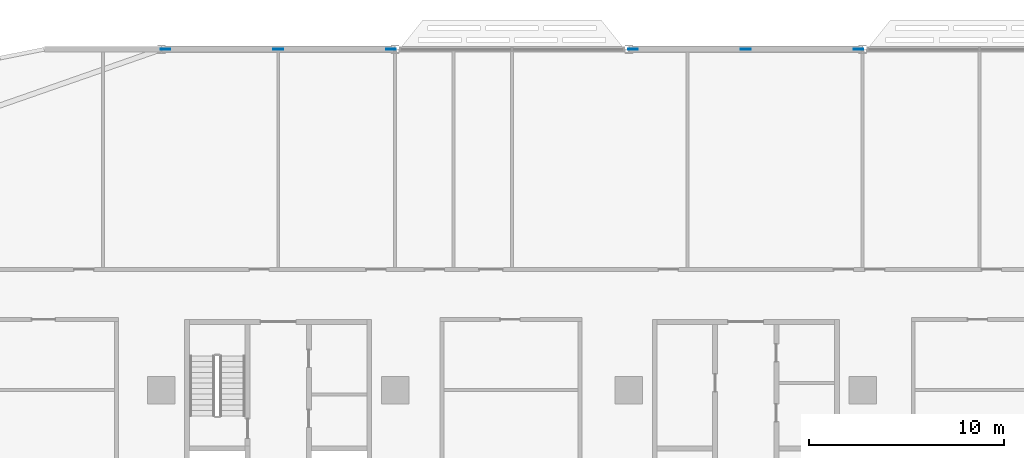
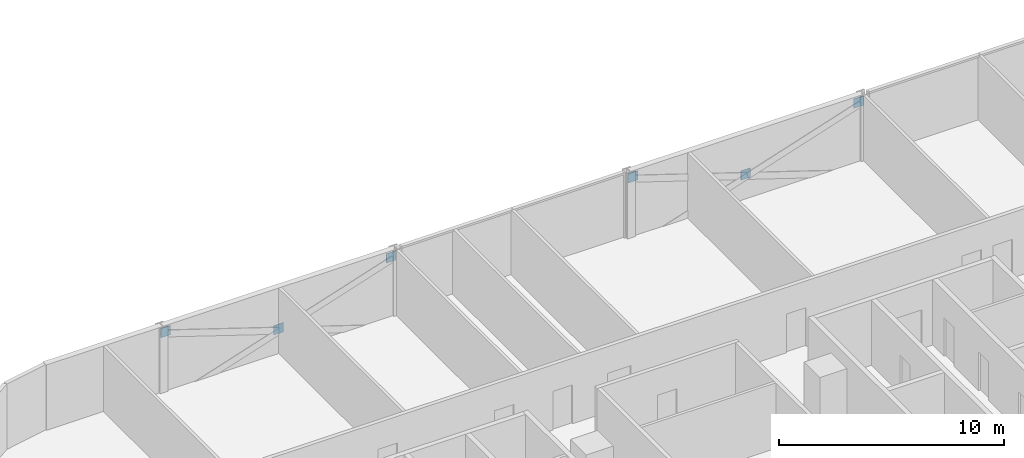
# One storey, part 20 of 29: 6 discrete accessories.
"""IFC4 building model written with IfcOpenShell, lengths in metres."""

from ifc_helpers import new_model, si_unit, direction, frame, origin, origin_2d, place, context, subcontext, project, spatial, rectangle, extrude, material, layer, layer_set, type_object, element, save


model = new_model("IFC4")

# Units and contexts
model_context = context("Model", 3, precision=1e-05, world=origin(), true_north=direction((0.0, 1.0)))
body_context = subcontext(model_context, "Body", "Model", "MODEL_VIEW")
ifc_project = project(units=[si_unit("LENGTHUNIT", "METRE"), si_unit("AREAUNIT", "SQUARE_METRE"), si_unit("VOLUMEUNIT", "CUBIC_METRE"), si_unit("PLANEANGLEUNIT", "RADIAN"), si_unit("MASSUNIT", "GRAM", prefix="KILO")], contexts=[model_context])

# Site, building, storey
site_placement = place(None, origin())
site = spatial("IfcSite", under=ifc_project, at=site_placement, CompositionType="ELEMENT")
building_placement = place(site_placement, origin())
building = spatial("IfcBuilding", under=site, at=building_placement, Name="Mahtab Terrace Research Tower", CompositionType="ELEMENT")
storey_placement = place(building_placement, frame((0.0, 0.0, 113.5)))
storey = spatial("IfcBuildingStorey", under=building, at=storey_placement, Name="L26", CompositionType="ELEMENT", Elevation=113.5)

# Discrete accessories
ifc_material = material(Name="Steel ASTM A992 Gr 50", Category="steel")
ifc_layer = layer(ifc_material, 0.030029296875)
ifc_layer_set = layer_set([ifc_layer], Name="Gusset plate 500x500x30")
discrete_accessory_type = type_object("IfcDiscreteAccessoryType", Name="Gusset plate 500x500x30", PredefinedType="USERDEFINED", material=ifc_layer_set)
for number, where, z_axis, x_axis, name in (
    (1, (-29.790283203125, 29.0, 2.853515625), (0.0, 0.0, 1.0), (1.0, 0.0, 0.0), "Gusset plate"),
    (2, (-24.0, 29.0, 0.9765625), (0.0, 0.0, 1.0), (1.0, 0.0, 0.0), "Gusset plate"),
    (3, (-18.209716796875, 29.0, 2.853515625), (0.0, 0.0, 1.0), (1.0, 0.0, 0.0), "Gusset plate"),
    (4, (-5.790283203125, 29.0, 2.853515625), (0.0, 0.0, 1.0), (1.0, 0.0, 0.0), "Gusset plate"),
    (5, (0.0, 29.0, 0.9765625), (0.0, 0.0, 1.0), (1.0, 0.0, 0.0), "Gusset plate"),
    (6, (5.790283203125, 29.0, 2.853515625), (0.0, 0.0, 1.0), (1.0, 0.0, 0.0), "Gusset plate"),
):
    element("IfcDiscreteAccessory", number, at=place(storey_placement, frame(where, z_axis=z_axis, x_axis=x_axis)), inside=storey, type_object=discrete_accessory_type, Name=name, ObjectType="GUSSET PLATE", PredefinedType="USERDEFINED", context=body_context, shape_type="SweptSolid", body=[
        extrude(rectangle(XDim=0.5, YDim=0.030029296875, at=origin_2d()), origin(), (0.0, 0.0, 1.0), 0.5),
    ])

save(model, "model.ifc")
